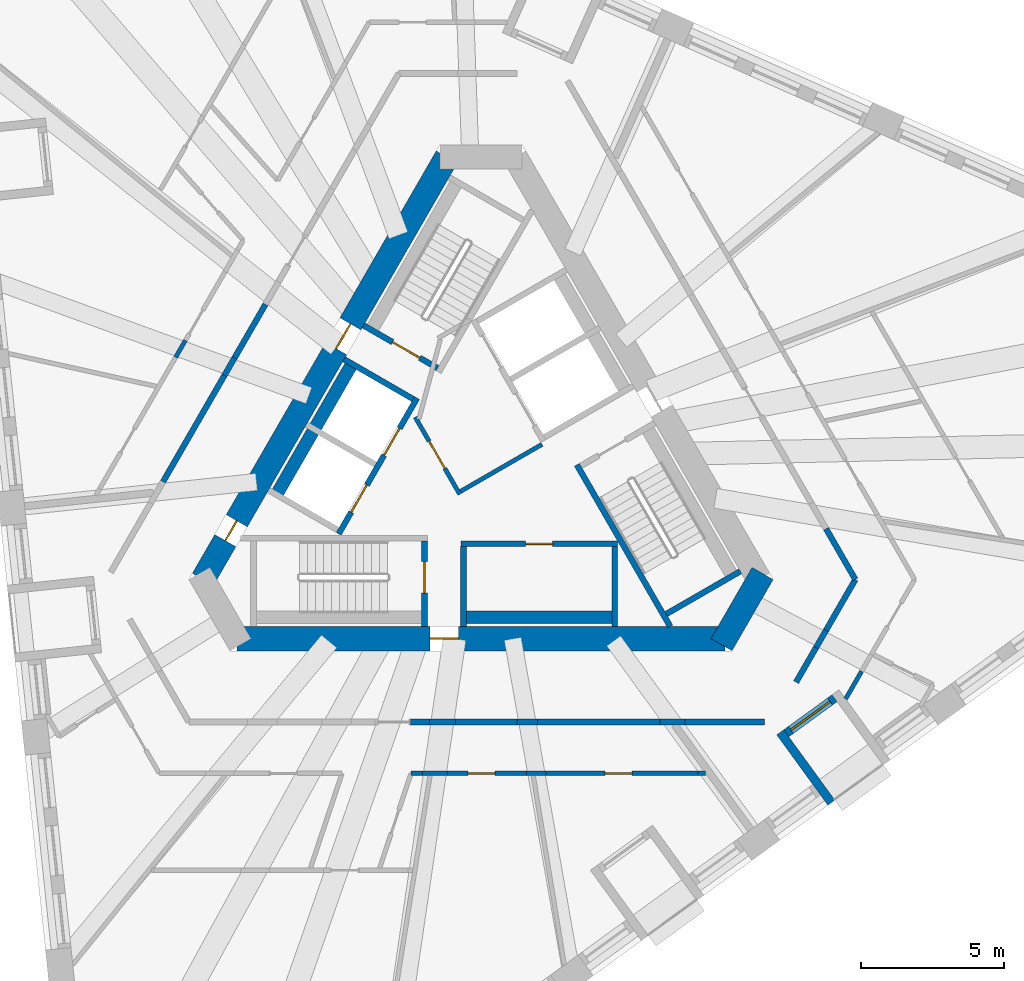
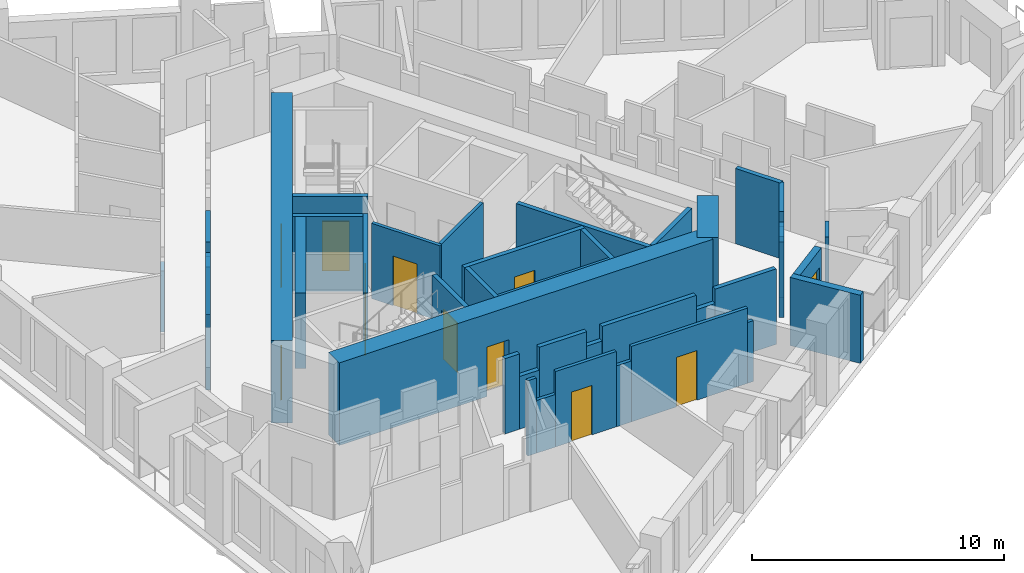
# One storey, part 4 of 14: 40 walls, 12 doors, 12 openings.
"""IFC4 building model written with IfcOpenShell, lengths in metres."""

from ifc_helpers import new_model, si_unit, direction, frame, frame_2d, origin, place, context, subcontext, project, spatial, rectangle, extrude, material, layer, layer_set, type_object, element, fill, save


model = new_model("IFC4")

# Units and contexts
model_context = context("Model", 3, precision=1e-05, world=origin(), true_north=direction((0.0, 1.0)))
body_context = subcontext(model_context, "Body", "Model", "MODEL_VIEW")
ifc_project = project(units=[si_unit("LENGTHUNIT", "METRE"), si_unit("AREAUNIT", "SQUARE_METRE"), si_unit("VOLUMEUNIT", "CUBIC_METRE"), si_unit("PLANEANGLEUNIT", "RADIAN"), si_unit("MASSUNIT", "GRAM", prefix="KILO")], contexts=[model_context])

# Site, building, storey
site_placement = place(None, origin())
site = spatial("IfcSite", under=ifc_project, at=site_placement, CompositionType="ELEMENT")
building_placement = place(site_placement, origin())
building = spatial("IfcBuilding", under=site, at=building_placement, Name="Tramontana Tower", CompositionType="ELEMENT")
storey_placement = place(building_placement, frame((0.0, 0.0, 170.800048828125)))
storey = spatial("IfcBuildingStorey", under=building, at=storey_placement, Name="L39", CompositionType="ELEMENT", Elevation=170.800048828125)

# Wall, openings, doors
ifc_material_1 = material(Name="Concrete 70 MPa", Category="concrete")
ifc_layer_1 = layer(ifc_material_1, 0.85009765625)
ifc_layer_set_1 = layer_set([ifc_layer_1], Name="Core wall 850 70 MPa")
wall_type_1 = type_object("IfcWallType", Name="Core wall 850 70 MPa", PredefinedType="SHEAR", material=ifc_layer_set_1)
wall_1_placement = place(storey_placement, frame((-1.197998046875, 10.574951171875, 0.0), z_axis=(0.0, 0.0, 1.0), x_axis=(-0.499995289315, -0.866028123483, 0.0)))
wall_1 = element("IfcWall", 1, at=wall_1_placement, inside=storey, type_object=wall_type_1, Name="Core wall C1 L39", PredefinedType="SHEAR", context=body_context, shape_type="SweptSolid", body=[
    extrude(rectangle(XDim=17.118408203125, YDim=0.85009765625, at=frame_2d((8.55908203125, 0.0))), origin(), (0.0, 0.0, 1.0), 4.0),
])
opening_1_placement = place(wall_1_placement, frame((6.76416015625, 0.0, 0.0)))
opening_1 = element("IfcOpeningElement", 2, at=opening_1_placement, cuts=wall_1, Name="Opening RG1", PredefinedType="OPENING", context=body_context, shape_type="SweptSolid", body=[
    extrude(rectangle(XDim=1.0, YDim=2.39990234375, at=frame_2d((0.5, 1.199951171875))), frame((0.0, 0.43505859375, 0.0), z_axis=(0.0, -1.0, 0.0), x_axis=(1.0, 0.0, 0.0)), (0.0, 0.0, 1.0), 0.8701171875),
])
opening_2_placement = place(wall_1_placement, frame((14.7421875, 0.0, 0.0)))
opening_2 = element("IfcOpeningElement", 3, at=opening_2_placement, cuts=wall_1, Name="Opening PD1", PredefinedType="OPENING", context=body_context, shape_type="SweptSolid", body=[
    extrude(rectangle(XDim=0.800048828125, YDim=2.10009765625, at=frame_2d((0.39990234375, 1.050048828125))), frame((0.0, 0.43505859375, 0.0), z_axis=(0.0, -1.0, 0.0), x_axis=(1.0, 0.0, 0.0)), (0.0, 0.0, 1.0), 0.8701171875),
])
ifc_material_2 = material(Name="Painted steel", Category="steel")
door_type_1 = type_object("IfcDoorType", Name="CUPBOARD DOOR 800", OperationType="SINGLE_SWING_LEFT", PredefinedType="DOOR", material=ifc_material_2)
door_1_placement = place(opening_2_placement, origin())
door_1 = element("IfcDoor", 4, at=door_1_placement, inside=storey, type_object=door_type_1, Name="Door PD1", OperationType="SINGLE_SWING_RIGHT", OverallHeight=2.10009765625, OverallWidth=0.800048828125, PredefinedType="DOOR", context=body_context, shape_type="SweptSolid", body=[
    extrude(rectangle(XDim=0.800048828125, YDim=2.10009765625, at=frame_2d((0.39990234375, 1.050048828125))), frame((0.0, 0.02490234375, 0.0), z_axis=(0.0, -1.0, 0.0), x_axis=(1.0, 0.0, 0.0)), (0.0, 0.0, 1.0), 0.050048828125),
])
fill(opening_2, door_1)
ifc_material_3 = material(Name="Painted steel", Category="steel")
door_type_2 = type_object("IfcDoorType", Name="RING DOOR 1000", OperationType="SINGLE_SWING_LEFT", PredefinedType="DOOR", material=ifc_material_3)
door_2_placement = place(opening_1_placement, origin())
door_2 = element("IfcDoor", 5, at=door_2_placement, inside=storey, type_object=door_type_2, Name="Door RG1", OperationType="SINGLE_SWING_LEFT", OverallHeight=2.39990234375, OverallWidth=1.0, PredefinedType="DOOR", context=body_context, shape_type="SweptSolid", body=[
    extrude(rectangle(XDim=1.0, YDim=2.39990234375, at=frame_2d((0.5, 1.199951171875))), frame((0.0, 0.02490234375, 0.0), z_axis=(0.0, -1.0, 0.0), x_axis=(1.0, 0.0, 0.0)), (0.0, 0.0, 1.0), 0.050048828125),
])
fill(opening_1, door_2)

# Wall, opening, door
wall_2_placement = place(storey_placement, frame((-8.55908203125, -6.324951171875, 0.0), z_axis=(0.0, 0.0, 1.0), x_axis=(1.0, 0.0, 0.0)))
wall_2 = element("IfcWall", 6, at=wall_2_placement, inside=storey, type_object=wall_type_1, Name="Core wall C3 L39", PredefinedType="SHEAR", context=body_context, shape_type="SweptSolid", body=[
    extrude(rectangle(XDim=17.1181640625, YDim=0.85009765625, at=frame_2d((8.55908203125, 0.0))), origin(), (0.0, 0.0, 1.0), 4.0),
])
opening_3_placement = place(wall_2_placement, frame((6.76416015625, 0.0, 0.0)))
opening_3 = element("IfcOpeningElement", 7, at=opening_3_placement, cuts=wall_2, Name="Opening RG2", PredefinedType="OPENING", context=body_context, shape_type="SweptSolid", body=[
    extrude(rectangle(XDim=1.0, YDim=2.39990234375, at=frame_2d((0.5, 1.199951171875))), frame((0.0, 0.43505859375, 0.0), z_axis=(0.0, -1.0, 0.0), x_axis=(1.0, 0.0, 0.0)), (0.0, 0.0, 1.0), 0.8701171875),
])
door_3_placement = place(opening_3_placement, origin())
door_3 = element("IfcDoor", 8, at=door_3_placement, inside=storey, type_object=door_type_2, Name="Door RG2", OperationType="SINGLE_SWING_RIGHT", OverallHeight=2.39990234375, OverallWidth=1.0, PredefinedType="DOOR", context=body_context, shape_type="SweptSolid", body=[
    extrude(rectangle(XDim=1.0, YDim=2.39990234375, at=frame_2d((0.5, 1.199951171875))), frame((0.0, 0.02490234375, 0.0), z_axis=(0.0, -1.0, 0.0), x_axis=(1.0, 0.0, 0.0)), (0.0, 0.0, 1.0), 0.050048828125),
])
fill(opening_3, door_3)

# Walls
wall_3_placement = place(storey_placement, frame((8.4365234375, -6.53759765625, 0.0), z_axis=(0.0, 0.0, 1.0), x_axis=(0.499995765644, 0.866027848477, 0.0)))
element("IfcWall", 9, at=wall_3_placement, inside=storey, type_object=wall_type_1, Name="Core wall C4 L39", PredefinedType="SHEAR", context=body_context, shape_type="SweptSolid", body=[
    extrude(rectangle(XDim=2.88671875, YDim=0.85009765625, at=frame_2d((1.443359375, 0.0))), origin(), (0.0, 0.0, 1.0), 4.0),
])
ifc_material_4 = material(Name="Blockwork", Category="masonry")
ifc_layer_2 = layer(ifc_material_4, 0.199951171875)
ifc_layer_set_2 = layer_set([ifc_layer_2], Name="ENTRY WALL 200")
wall_type_2 = type_object("IfcWallType", Name="ENTRY WALL 200", PredefinedType="SOLIDWALL", material=ifc_layer_set_2)
wall_4_placement = place(storey_placement, frame((12.106689453125, -2.46923828125, 0.0), z_axis=(0.0, 0.0, 1.0), x_axis=(0.499982825521, -0.866035319247, 0.0)))
element("IfcWall", 10, at=wall_4_placement, inside=storey, type_object=wall_type_2, Name="Wall v40-ew0-12", PredefinedType="SOLIDWALL", context=body_context, shape_type="SweptSolid", body=[
    extrude(rectangle(XDim=2.05615234375, YDim=0.199951171875, at=frame_2d((1.028076171875, 0.0))), origin(), (0.0, 0.0, 1.0), 3.64990234375),
])
wall_5_placement = place(storey_placement, frame((13.134765625, -4.25, 0.0), z_axis=(0.0, 0.0, 1.0), x_axis=(-0.500030520673, -0.866007781949, 0.0)))
element("IfcWall", 11, at=wall_5_placement, inside=storey, type_object=wall_type_2, Name="Wall v40-ew1-0", PredefinedType="SOLIDWALL", context=body_context, shape_type="SweptSolid", body=[
    extrude(rectangle(XDim=2.057861328125, YDim=0.199951171875, at=frame_2d((1.02880859375, 0.0))), origin(), (0.0, 0.0, 1.0), 3.64990234375),
])
wall_6_placement = place(storey_placement, frame((12.105712890625, -6.0322265625, 0.0), z_axis=(0.0, 0.0, 1.0), x_axis=(-0.49996389635, -0.866046247233, 0.0)))
element("IfcWall", 12, at=wall_6_placement, inside=storey, type_object=wall_type_2, Name="Wall v40-ew1-1", PredefinedType="SOLIDWALL", context=body_context, shape_type="SweptSolid", body=[
    extrude(rectangle(XDim=0.7001953125, YDim=0.199951171875, at=frame_2d((0.35009765625, 0.0))), origin(), (0.0, 0.0, 1.0), 2.949951171875),
])
wall_7_placement = place(storey_placement, frame((11.755615234375, -6.638671875, 0.0), z_axis=(0.0, 0.0, 1.0), x_axis=(-0.49998411664, -0.866034573852, 0.0)))
element("IfcWall", 13, at=wall_7_placement, inside=storey, type_object=wall_type_2, Name="Wall v40-ew1-2", PredefinedType="SOLIDWALL", context=body_context, shape_type="SweptSolid", body=[
    extrude(rectangle(XDim=1.39990234375, YDim=0.199951171875, at=frame_2d((0.699951171875, 0.0))), origin(), (0.0, 0.0, 1.0), 3.64990234375),
])
wall_8_placement = place(storey_placement, frame((9.95166015625, -9.25, 0.0), z_axis=(0.0, 0.0, 1.0), x_axis=(-1.0, 0.0, 0.0)))
element("IfcWall", 14, at=wall_8_placement, inside=storey, type_object=wall_type_2, Name="Wall v40-ew2-0", PredefinedType="SOLIDWALL", context=body_context, shape_type="SweptSolid", body=[
    extrude(rectangle(XDim=2.798583984375, YDim=0.199951171875, at=frame_2d((1.3994140625, 0.0))), origin(), (0.0, 0.0, 1.0), 3.64990234375),
])
wall_9_placement = place(storey_placement, frame((7.153076171875, -9.25, 0.0), z_axis=(0.0, 0.0, 1.0), x_axis=(-1.0, 0.0, 0.0)))
element("IfcWall", 15, at=wall_9_placement, inside=storey, type_object=wall_type_2, Name="Wall v40-ew2-1", PredefinedType="SOLIDWALL", context=body_context, shape_type="SweptSolid", body=[
    extrude(rectangle(XDim=0.865234375, YDim=0.199951171875, at=frame_2d((0.4326171875, 0.0))), origin(), (0.0, 0.0, 1.0), 2.949951171875),
])
wall_10_placement = place(storey_placement, frame((6.287841796875, -9.25, 0.0), z_axis=(0.0, 0.0, 1.0), x_axis=(-1.0, 0.0, 0.0)))
element("IfcWall", 16, at=wall_10_placement, inside=storey, type_object=wall_type_2, Name="Wall v40-ew2-2", PredefinedType="SOLIDWALL", context=body_context, shape_type="SweptSolid", body=[
    extrude(rectangle(XDim=4.306640625, YDim=0.199951171875, at=frame_2d((2.1533203125, 0.0))), origin(), (0.0, 0.0, 1.0), 3.64990234375),
])
wall_11_placement = place(storey_placement, frame((1.981201171875, -9.25, 0.0), z_axis=(0.0, 0.0, 1.0), x_axis=(-1.0, 0.0, 0.0)))
element("IfcWall", 17, at=wall_11_placement, inside=storey, type_object=wall_type_2, Name="Wall v40-ew2-3", PredefinedType="SOLIDWALL", context=body_context, shape_type="SweptSolid", body=[
    extrude(rectangle(XDim=0.710693359375, YDim=0.199951171875, at=frame_2d((0.35546875, 0.0))), origin(), (0.0, 0.0, 1.0), 2.949951171875),
])
wall_12_placement = place(storey_placement, frame((1.2705078125, -9.25, 0.0), z_axis=(0.0, 0.0, 1.0), x_axis=(-1.0, 0.0, 0.0)))
element("IfcWall", 18, at=wall_12_placement, inside=storey, type_object=wall_type_2, Name="Wall v40-ew2-4", PredefinedType="SOLIDWALL", context=body_context, shape_type="SweptSolid", body=[
    extrude(rectangle(XDim=2.169677734375, YDim=0.199951171875, at=frame_2d((1.0849609375, 0.0))), origin(), (0.0, 0.0, 1.0), 3.64990234375),
])
wall_13_placement = place(storey_placement, frame((-0.899169921875, -9.25, 0.0), z_axis=(0.0, 0.0, 1.0), x_axis=(-1.0, 0.0, 0.0)))
element("IfcWall", 19, at=wall_13_placement, inside=storey, type_object=wall_type_2, Name="Wall v40-ew2-5", PredefinedType="SOLIDWALL", context=body_context, shape_type="SweptSolid", body=[
    extrude(rectangle(XDim=0.909423828125, YDim=0.199951171875, at=frame_2d((0.45458984375, 0.0))), origin(), (0.0, 0.0, 1.0), 2.550048828125),
])
wall_14_placement = place(storey_placement, frame((-1.80859375, -9.25, 0.0), z_axis=(0.0, 0.0, 1.0), x_axis=(-1.0, 0.0, 0.0)))
element("IfcWall", 20, at=wall_14_placement, inside=storey, type_object=wall_type_2, Name="Wall v40-ew2-6", PredefinedType="SOLIDWALL", context=body_context, shape_type="SweptSolid", body=[
    extrude(rectangle(XDim=0.659423828125, YDim=0.199951171875, at=frame_2d((0.32958984375, 0.0))), origin(), (0.0, 0.0, 1.0), 3.64990234375),
])
wall_15_placement = place(storey_placement, frame((-11.15478515625, -0.820556640625, 0.0), z_axis=(0.0, 0.0, 1.0), x_axis=(0.499992344383, 0.866029823712, 0.0)))
element("IfcWall", 21, at=wall_15_placement, inside=storey, type_object=wall_type_2, Name="Wall v40-ew4-2", PredefinedType="SOLIDWALL", context=body_context, shape_type="SweptSolid", body=[
    extrude(rectangle(XDim=4.306640625, YDim=0.199951171875, at=frame_2d((2.1533203125, 0.0))), origin(), (0.0, 0.0, 1.0), 3.64990234375),
])
wall_16_placement = place(storey_placement, frame((-9.00146484375, 2.9091796875, 0.0), z_axis=(0.0, 0.0, 1.0), x_axis=(0.50012879774, 0.865951029603, 0.0)))
element("IfcWall", 22, at=wall_16_placement, inside=storey, type_object=wall_type_2, Name="Wall v40-ew4-3", PredefinedType="SOLIDWALL", context=body_context, shape_type="SweptSolid", body=[
    extrude(rectangle(XDim=0.710693359375, YDim=0.199951171875, at=frame_2d((0.35546875, 0.0))), origin(), (0.0, 0.0, 1.0), 2.949951171875),
])
wall_17_placement = place(storey_placement, frame((-8.64599609375, 3.524658203125, 0.0), z_axis=(0.0, 0.0, 1.0), x_axis=(0.499975720793, 0.866039420937, 0.0)))
element("IfcWall", 23, at=wall_17_placement, inside=storey, type_object=wall_type_2, Name="Wall v40-ew4-4", PredefinedType="SOLIDWALL", context=body_context, shape_type="SweptSolid", body=[
    extrude(rectangle(XDim=2.16943359375, YDim=0.199951171875, at=frame_2d((1.084716796875, 0.0))), origin(), (0.0, 0.0, 1.0), 3.64990234375),
])

# Wall, opening, door
ifc_material_5 = material(Name="Precast concrete 60 MPa", Category="concrete")
ifc_layer_3 = layer(ifc_material_5, 0.300048828125)
ifc_layer_set_3 = layer_set([ifc_layer_3], Name="LW1 Stone-faced loggia wall 300")
wall_type_3 = type_object("IfcWallType", Name="LW1 Stone-faced loggia wall 300", PredefinedType="SOLIDWALL", material=ifc_layer_set_3)
wall_18_placement = place(storey_placement, frame((10.710205078125, -9.647216796875, 0.0), z_axis=(0.0, 0.0, 1.0), x_axis=(0.808972932648, 0.587845893277, 0.0)))
wall_18 = element("IfcWall", 24, at=wall_18_placement, inside=storey, type_object=wall_type_3, Name="Loggia wall L39 G4S1.10", PredefinedType="SOLIDWALL", context=body_context, shape_type="SweptSolid", body=[
    extrude(rectangle(XDim=2.094482421875, YDim=0.300048828125, at=frame_2d((1.04736328125, 0.0))), origin(), (0.0, 0.0, 1.0), 3.300048828125),
])
opening_4_placement = place(wall_18_placement, frame((0.197265625, 0.0, 0.0)))
opening_4 = element("IfcOpeningElement", 25, at=opening_4_placement, cuts=wall_18, Name="Opening BD-4S1-10", PredefinedType="OPENING", context=body_context, shape_type="SweptSolid", body=[
    extrude(rectangle(XDim=1.699951171875, YDim=2.449951171875, at=frame_2d((0.85009765625, 1.22509765625))), frame((0.0, 0.159912109375, 0.0), z_axis=(0.0, -1.0, 0.0), x_axis=(1.0, 0.0, 0.0)), (0.0, 0.0, 1.0), 0.320068359375),
])
ifc_material_6 = material(Name="Aluminum frame, double glazing unit", Category="aluminium")
door_type_3 = type_object("IfcDoorType", Name="BD2 Sliding door 1.7 x 2.45", OperationType="SLIDING_TO_LEFT", PredefinedType="DOOR", material=ifc_material_6)
door_4_placement = place(opening_4_placement, origin())
door_4 = element("IfcDoor", 26, at=door_4_placement, inside=storey, type_object=door_type_3, Name="Loggia door L39 G4S1.10", OperationType="SLIDING_TO_LEFT", OverallHeight=2.449951171875, OverallWidth=1.699951171875, PredefinedType="DOOR", context=body_context, shape_type="SweptSolid", body=[
    extrude(rectangle(XDim=1.699951171875, YDim=2.449951171875, at=frame_2d((0.85009765625, 1.22509765625))), frame((0.0, 0.02490234375, 0.0), z_axis=(0.0, -1.0, 0.0), x_axis=(1.0, 0.0, 0.0)), (0.0, 0.0, 1.0), 0.050048828125),
])
fill(opening_4, door_4)

# Wall
wall_19_placement = place(storey_placement, frame((12.29345703125, -12.08154296875, 0.0), z_axis=(0.0, 0.0, 1.0), x_axis=(-0.587776590479, 0.80902328748, 0.0)))
element("IfcWall", 27, at=wall_19_placement, inside=storey, type_object=wall_type_3, Name="Loggia return L39 G4S1.10a", PredefinedType="SOLIDWALL", context=body_context, shape_type="SweptSolid", body=[
    extrude(rectangle(XDim=3.050048828125, YDim=0.300048828125, at=frame_2d((1.52490234375, 0.0))), origin(), (0.0, 0.0, 1.0), 3.300048828125),
])

# Wall, opening, door
ifc_material_7 = material(Name="Gypsum board partition")
ifc_layer_4 = layer(ifc_material_7, 0.14990234375)
ifc_layer_set_4 = layer_set([ifc_layer_4], Name="PARTITION 150")
wall_type_4 = type_object("IfcWallType", Name="PARTITION 150", PredefinedType="PARTITIONING", material=ifc_layer_set_4)
wall_20_placement = place(storey_placement, frame((-0.744140625, -1.260986328125, 0.0), z_axis=(0.0, 0.0, 1.0), x_axis=(-0.500004234368, 0.866022959057, 0.0)))
wall_20 = element("IfcWall", 28, at=wall_20_placement, inside=storey, type_object=wall_type_4, Name="Wall ff-front", PredefinedType="PARTITIONING", context=body_context, shape_type="SweptSolid", body=[
    extrude(rectangle(XDim=3.125, YDim=0.14990234375, at=frame_2d((1.5625, 0.0))), origin(), (0.0, 0.0, 1.0), 3.64990234375),
])
opening_5_placement = place(wall_20_placement, frame((1.050048828125, 0.0, 0.0)))
opening_5 = element("IfcOpeningElement", 29, at=opening_5_placement, cuts=wall_20, Name="Opening FD1", PredefinedType="OPENING", context=body_context, shape_type="SweptSolid", body=[
    extrude(rectangle(XDim=1.10009765625, YDim=2.39990234375, at=frame_2d((0.550048828125, 1.199951171875))), frame((0.0, 0.0849609375, 0.0), z_axis=(0.0, -1.0, 0.0), x_axis=(1.0, 0.0, 0.0)), (0.0, 0.0, 1.0), 0.169921875),
])
ifc_material_8 = material(Name="Painted timber", Category="wood")
door_type_4 = type_object("IfcDoorType", Name="DOOR ENTRY 1100", OperationType="SINGLE_SWING_LEFT", PredefinedType="DOOR", material=ifc_material_8)
door_5_placement = place(opening_5_placement, origin())
door_5 = element("IfcDoor", 30, at=door_5_placement, inside=storey, type_object=door_type_4, Name="Door FD1", OperationType="SINGLE_SWING_RIGHT", OverallHeight=2.39990234375, OverallWidth=1.10009765625, PredefinedType="DOOR", context=body_context, shape_type="SweptSolid", body=[
    extrude(rectangle(XDim=1.10009765625, YDim=2.39990234375, at=frame_2d((0.550048828125, 1.199951171875))), frame((0.0, 0.02490234375, 0.0), z_axis=(0.0, -1.0, 0.0), x_axis=(1.0, 0.0, 0.0)), (0.0, 0.0, 1.0), 0.050048828125),
])
fill(opening_5, door_5)

# Walls
wall_21_placement = place(storey_placement, frame((-0.716796875, -1.15869140625, 0.0), z_axis=(0.0, 0.0, 1.0), x_axis=(0.866008176907, 0.50002983664, 0.0)))
element("IfcWall", 31, at=wall_21_placement, inside=storey, type_object=wall_type_4, Name="Wall ff-end0", PredefinedType="PARTITIONING", context=body_context, shape_type="SweptSolid", body=[
    extrude(rectangle(XDim=3.300048828125, YDim=0.14990234375, at=frame_2d((1.64990234375, 0.0))), origin(), (0.0, 0.0, 1.0), 3.64990234375),
])
wall_22_placement = place(storey_placement, frame((-10.712158203125, 3.546142578125, 0.0), z_axis=(0.0, 0.0, 1.0), x_axis=(0.50012328804, 0.865954211699, 0.0)))
element("IfcWall", 32, at=wall_22_placement, inside=storey, type_object=wall_type_4, Name="Wall v40-pw03-2", PredefinedType="PARTITIONING", context=body_context, shape_type="SweptSolid", body=[
    extrude(rectangle(XDim=0.685302734375, YDim=0.14990234375, at=frame_2d((0.3427734375, 0.0))), origin(), (0.0, 0.0, 1.0), 2.949951171875),
])
wall_23_placement = place(storey_placement, frame((7.873779296875, -11.050048828125, 0.0), z_axis=(0.0, 0.0, 1.0), x_axis=(-1.0, 0.0, 0.0)))
element("IfcWall", 33, at=wall_23_placement, inside=storey, type_object=wall_type_4, Name="Wall v40-pw27-0", PredefinedType="PARTITIONING", context=body_context, shape_type="SweptSolid", body=[
    extrude(rectangle(XDim=0.2626953125, YDim=0.14990234375, at=frame_2d((0.13134765625, 0.0))), origin(), (0.0, 0.0, 1.0), 2.949951171875),
])

# Wall, opening, door
wall_24_placement = place(storey_placement, frame((7.611083984375, -11.050048828125, 0.0), z_axis=(0.0, 0.0, 1.0), x_axis=(-1.0, 0.0, 0.0)))
wall_24 = element("IfcWall", 34, at=wall_24_placement, inside=storey, type_object=wall_type_4, Name="Wall v40-pw27-1", PredefinedType="PARTITIONING", context=body_context, shape_type="SweptSolid", body=[
    extrude(rectangle(XDim=5.326171875, YDim=0.14990234375, at=frame_2d((2.6630859375, 0.0))), origin(), (0.0, 0.0, 1.0), 3.64990234375),
])
opening_6_placement = place(wall_24_placement, frame((2.31201171875, 0.0, 0.0)))
opening_6 = element("IfcOpeningElement", 35, at=opening_6_placement, cuts=wall_24, Name="Opening B4A-13", PredefinedType="OPENING", context=body_context, shape_type="SweptSolid", body=[
    extrude(rectangle(XDim=0.949951171875, YDim=2.39990234375, at=frame_2d((0.47509765625, 1.199951171875))), frame((0.0, 0.0849609375, 0.0), z_axis=(0.0, -1.0, 0.0), x_axis=(1.0, 0.0, 0.0)), (0.0, 0.0, 1.0), 0.169921875),
])
ifc_material_9 = material(Name="Painted timber", Category="wood")
door_type_5 = type_object("IfcDoorType", Name="DOOR ROOM 950", OperationType="SINGLE_SWING_LEFT", PredefinedType="DOOR", material=ifc_material_9)
door_6_placement = place(opening_6_placement, origin())
door_6 = element("IfcDoor", 36, at=door_6_placement, inside=storey, type_object=door_type_5, Name="Door B4A-13", OperationType="SINGLE_SWING_LEFT", OverallHeight=2.39990234375, OverallWidth=0.949951171875, PredefinedType="DOOR", context=body_context, shape_type="SweptSolid", body=[
    extrude(rectangle(XDim=0.949951171875, YDim=2.39990234375, at=frame_2d((0.47509765625, 1.199951171875))), frame((0.0, 0.02490234375, 0.0), z_axis=(0.0, -1.0, 0.0), x_axis=(1.0, 0.0, 0.0)), (0.0, 0.0, 1.0), 0.050048828125),
])
fill(opening_6, door_6)

# Wall
wall_25_placement = place(storey_placement, frame((2.284912109375, -11.050048828125, 0.0), z_axis=(0.0, 0.0, 1.0), x_axis=(-1.0, 0.0, 0.0)))
element("IfcWall", 37, at=wall_25_placement, inside=storey, type_object=wall_type_4, Name="Wall v40-pw27-2", PredefinedType="PARTITIONING", context=body_context, shape_type="SweptSolid", body=[
    extrude(rectangle(XDim=0.685302734375, YDim=0.14990234375, at=frame_2d((0.3427734375, 0.0))), origin(), (0.0, 0.0, 1.0), 2.949951171875),
])

# Wall, opening, door
wall_26_placement = place(storey_placement, frame((1.599609375, -11.050048828125, 0.0), z_axis=(0.0, 0.0, 1.0), x_axis=(-1.0, 0.0, 0.0)))
wall_26 = element("IfcWall", 38, at=wall_26_placement, inside=storey, type_object=wall_type_4, Name="Wall v40-pw27-3", PredefinedType="PARTITIONING", context=body_context, shape_type="SweptSolid", body=[
    extrude(rectangle(XDim=2.77490234375, YDim=0.14990234375, at=frame_2d((1.387451171875, 0.0))), origin(), (0.0, 0.0, 1.0), 3.64990234375),
])
opening_7_placement = place(wall_26_placement, frame((1.1025390625, 0.0, 0.0)))
opening_7 = element("IfcOpeningElement", 39, at=opening_7_placement, cuts=wall_26, Name="Opening B4A-12", PredefinedType="OPENING", context=body_context, shape_type="SweptSolid", body=[
    extrude(rectangle(XDim=0.949951171875, YDim=2.39990234375, at=frame_2d((0.47509765625, 1.199951171875))), frame((0.0, 0.0849609375, 0.0), z_axis=(0.0, -1.0, 0.0), x_axis=(1.0, 0.0, 0.0)), (0.0, 0.0, 1.0), 0.169921875),
])
door_7_placement = place(opening_7_placement, origin())
door_7 = element("IfcDoor", 40, at=door_7_placement, inside=storey, type_object=door_type_5, Name="Door B4A-12", OperationType="SINGLE_SWING_RIGHT", OverallHeight=2.39990234375, OverallWidth=0.949951171875, PredefinedType="DOOR", context=body_context, shape_type="SweptSolid", body=[
    extrude(rectangle(XDim=0.949951171875, YDim=2.39990234375, at=frame_2d((0.47509765625, 1.199951171875))), frame((0.0, 0.02490234375, 0.0), z_axis=(0.0, -1.0, 0.0), x_axis=(1.0, 0.0, 0.0)), (0.0, 0.0, 1.0), 0.050048828125),
])
fill(opening_7, door_7)

# Walls
wall_27_placement = place(storey_placement, frame((-1.17529296875, -11.050048828125, 0.0), z_axis=(0.0, 0.0, 1.0), x_axis=(-1.0, 0.0, 0.0)))
element("IfcWall", 41, at=wall_27_placement, inside=storey, type_object=wall_type_4, Name="Wall v40-pw27-4", PredefinedType="PARTITIONING", context=body_context, shape_type="SweptSolid", body=[
    extrude(rectangle(XDim=0.88427734375, YDim=0.14990234375, at=frame_2d((0.442138671875, 0.0))), origin(), (0.0, 0.0, 1.0), 2.550048828125),
])
wall_28_placement = place(storey_placement, frame((-2.0595703125, -11.050048828125, 0.0), z_axis=(0.0, 0.0, 1.0), x_axis=(-1.0, 0.0, 0.0)))
element("IfcWall", 42, at=wall_28_placement, inside=storey, type_object=wall_type_4, Name="Wall v40-pw27-5", PredefinedType="PARTITIONING", context=body_context, shape_type="SweptSolid", body=[
    extrude(rectangle(XDim=0.3916015625, YDim=0.14990234375, at=frame_2d((0.19580078125, 0.0))), origin(), (0.0, 0.0, 1.0), 3.64990234375),
])
wall_29_placement = place(storey_placement, frame((13.3525390625, -7.47265625, 0.0), z_axis=(0.0, 0.0, 1.0), x_axis=(-0.500037474894, -0.866003766563, 0.0)))
element("IfcWall", 43, at=wall_29_placement, inside=storey, type_object=wall_type_4, Name="Wall v40-pw33-2", PredefinedType="PARTITIONING", context=body_context, shape_type="SweptSolid", body=[
    extrude(rectangle(XDim=1.1181640625, YDim=0.14990234375, at=frame_2d((0.55908203125, 0.0))), origin(), (0.0, 0.0, 1.0), 3.64990234375),
])
ifc_material_10 = material(Name="Concrete 70 MPa", Category="concrete")
ifc_layer_5 = layer(ifc_material_10, 0.449951171875)
ifc_layer_set_5 = layer_set([ifc_layer_5], Name="Concrete 70 MPa, 450 mm")
wall_type_5 = type_object("IfcWallType", Name="RC SHAFT BACK WALL 450", PredefinedType="SOLIDWALL", material=ifc_layer_set_5)
for number, where, z_axis, x_axis, name in (
    (44, (-4.47314453125, 3.40234375, 0.0), (0.0, 0.0, 1.0), (-0.499996545922, -0.866027397988, 0.0), "Wall row0-back"),
    (45, (-0.7099609375, -5.574951171875, 0.0), (0.0, 0.0, 1.0), (1.0, 0.0, 0.0), "Wall row1-back"),
):
    element("IfcWall", number, at=place(storey_placement, frame(where, z_axis=z_axis, x_axis=x_axis)), inside=storey, type_object=wall_type_5, Name=name, PredefinedType="SOLIDWALL", context=body_context, shape_type="SweptSolid", body=[
        extrude(rectangle(XDim=5.5, YDim=0.449951171875, at=frame_2d((2.75, 0.0))), origin(), (0.0, 0.0, 1.0), 3.64990234375),
    ])

# Wall, opening, door
ifc_material_11 = material(Name="Concrete 70 MPa", Category="concrete")
ifc_layer_6 = layer(ifc_material_11, 0.199951171875)
ifc_layer_set_6 = layer_set([ifc_layer_6], Name="Concrete 70 MPa, 200 mm")
wall_type_6 = type_object("IfcWallType", Name="RC STAIR AND SHAFT WALL 200", PredefinedType="SOLIDWALL", material=ifc_layer_set_6)
wall_30_placement = place(storey_placement, frame((-1.521484375, 3.164794921875, 0.0), z_axis=(0.0, 0.0, 1.0), x_axis=(-0.866031096941, 0.499990139034, 0.0)))
wall_30 = element("IfcWall", 46, at=wall_30_placement, inside=storey, type_object=wall_type_6, Name="Wall st1-near", PredefinedType="SOLIDWALL", context=body_context, shape_type="SweptSolid", body=[
    extrude(rectangle(XDim=3.0, YDim=0.199951171875, at=frame_2d((1.5, 0.0))), origin(), (0.0, 0.0, 1.0), 3.64990234375),
])
opening_8_placement = place(wall_30_placement, frame((0.72509765625, 0.0, 0.0)))
opening_8 = element("IfcOpeningElement", 47, at=opening_8_placement, cuts=wall_30, Name="Opening SD1", PredefinedType="OPENING", context=body_context, shape_type="SweptSolid", body=[
    extrude(rectangle(XDim=1.10009765625, YDim=2.39990234375, at=frame_2d((0.550048828125, 1.199951171875))), frame((0.0, 0.10986328125, 0.0), z_axis=(0.0, -1.0, 0.0), x_axis=(1.0, 0.0, 0.0)), (0.0, 0.0, 1.0), 0.219970703125),
])
ifc_material_12 = material(Name="Painted steel", Category="steel")
door_type_6 = type_object("IfcDoorType", Name="STAIR DOOR 1100", OperationType="SINGLE_SWING_LEFT", PredefinedType="DOOR", material=ifc_material_12)
door_8_placement = place(opening_8_placement, origin())
door_8 = element("IfcDoor", 48, at=door_8_placement, inside=storey, type_object=door_type_6, Name="Door SD1", OperationType="SINGLE_SWING_RIGHT", OverallHeight=2.39990234375, OverallWidth=1.10009765625, PredefinedType="DOOR", context=body_context, shape_type="SweptSolid", body=[
    extrude(rectangle(XDim=1.10009765625, YDim=2.39990234375, at=frame_2d((0.550048828125, 1.199951171875))), frame((0.0, 0.02490234375, 0.0), z_axis=(0.0, -1.0, 0.0), x_axis=(1.0, 0.0, 0.0)), (0.0, 0.0, 1.0), 0.050048828125),
])
fill(opening_8, door_8)

wall_31_placement = place(storey_placement, frame((-1.97998046875, -2.89990234375, 0.0), z_axis=(0.0, 0.0, 1.0), x_axis=(0.0, -1.0, 0.0)))
wall_31 = element("IfcWall", 49, at=wall_31_placement, inside=storey, type_object=wall_type_6, Name="Wall st2-near", PredefinedType="SOLIDWALL", context=body_context, shape_type="SweptSolid", body=[
    extrude(rectangle(XDim=3.0, YDim=0.199951171875, at=frame_2d((1.5, 0.0))), origin(), (0.0, 0.0, 1.0), 3.64990234375),
])
opening_9_placement = place(wall_31_placement, frame((0.72509765625, 0.0, 0.0)))
opening_9 = element("IfcOpeningElement", 50, at=opening_9_placement, cuts=wall_31, Name="Opening SD2", PredefinedType="OPENING", context=body_context, shape_type="SweptSolid", body=[
    extrude(rectangle(XDim=1.10009765625, YDim=2.39990234375, at=frame_2d((0.550048828125, 1.199951171875))), frame((0.0, 0.10986328125, 0.0), z_axis=(0.0, -1.0, 0.0), x_axis=(1.0, 0.0, 0.0)), (0.0, 0.0, 1.0), 0.219970703125),
])
door_9_placement = place(opening_9_placement, origin())
door_9 = element("IfcDoor", 51, at=door_9_placement, inside=storey, type_object=door_type_6, Name="Door SD2", OperationType="SINGLE_SWING_LEFT", OverallHeight=2.39990234375, OverallWidth=1.10009765625, PredefinedType="DOOR", context=body_context, shape_type="SweptSolid", body=[
    extrude(rectangle(XDim=1.10009765625, YDim=2.39990234375, at=frame_2d((0.550048828125, 1.199951171875))), frame((0.0, 0.02490234375, 0.0), z_axis=(0.0, -1.0, 0.0), x_axis=(1.0, 0.0, 0.0)), (0.0, 0.0, 1.0), 0.050048828125),
])
fill(opening_9, door_9)

# Walls
wall_32_placement = place(storey_placement, frame((6.6396484375, -5.89990234375, 0.0), z_axis=(0.0, 0.0, 1.0), x_axis=(-0.499999959354, 0.866025427251, 0.0)))
element("IfcWall", 52, at=wall_32_placement, inside=storey, type_object=wall_type_6, Name="Wall st3-front", PredefinedType="SOLIDWALL", context=body_context, shape_type="SweptSolid", body=[
    extrude(rectangle(XDim=6.54931640625, YDim=0.199951171875, at=frame_2d((3.274658203125, 0.0))), origin(), (0.0, 0.0, 1.0), 3.64990234375),
])
wall_33_placement = place(storey_placement, frame((6.50146484375, -5.4609375, 0.0), z_axis=(0.0, 0.0, 1.0), x_axis=(0.866031096941, 0.499990139034, 0.0)))
element("IfcWall", 53, at=wall_33_placement, inside=storey, type_object=wall_type_6, Name="Wall st3-far", PredefinedType="SOLIDWALL", context=body_context, shape_type="SweptSolid", body=[
    extrude(rectangle(XDim=3.0, YDim=0.199951171875, at=frame_2d((1.5, 0.0))), origin(), (0.0, 0.0, 1.0), 3.64990234375),
])

# Wall, openings, doors
wall_34_placement = place(storey_placement, frame((-2.2431640625, 2.114990234375, 0.0), z_axis=(0.0, 0.0, 1.0), x_axis=(-0.499996545922, -0.866027397988, 0.0)))
wall_34 = element("IfcWall", 54, at=wall_34_placement, inside=storey, type_object=wall_type_6, Name="Wall row0-front", PredefinedType="SOLIDWALL", context=body_context, shape_type="SweptSolid", body=[
    extrude(rectangle(XDim=5.5, YDim=0.199951171875, at=frame_2d((2.75, 0.0))), origin(), (0.0, 0.0, 1.0), 3.64990234375),
])
opening_10_placement = place(wall_34_placement, frame((1.219970703125, 0.0, 0.0)))
opening_10 = element("IfcOpeningElement", 55, at=opening_10_placement, cuts=wall_34, Name="Opening LD-P1", PredefinedType="OPENING", context=body_context, shape_type="SweptSolid", body=[
    extrude(rectangle(XDim=1.10009765625, YDim=2.10009765625, at=frame_2d((0.550048828125, 1.050048828125))), frame((0.0, 0.10986328125, 0.0), z_axis=(0.0, -1.0, 0.0), x_axis=(1.0, 0.0, 0.0)), (0.0, 0.0, 1.0), 0.219970703125),
])
opening_11_placement = place(wall_34_placement, frame((3.52490234375, 0.0, 0.0)))
opening_11 = element("IfcOpeningElement", 56, at=opening_11_placement, cuts=wall_34, Name="Opening LD-P2", PredefinedType="OPENING", context=body_context, shape_type="SweptSolid", body=[
    extrude(rectangle(XDim=1.10009765625, YDim=2.10009765625, at=frame_2d((0.550048828125, 1.050048828125))), frame((0.0, 0.10986328125, 0.0), z_axis=(0.0, -1.0, 0.0), x_axis=(1.0, 0.0, 0.0)), (0.0, 0.0, 1.0), 0.219970703125),
])
ifc_material_13 = material(Name="Brushed steel", Category="steel")
door_type_7 = type_object("IfcDoorType", Name="LANDING DOOR 1100", OperationType="SINGLE_SWING_LEFT", PredefinedType="DOOR", material=ifc_material_13)
door_10_placement = place(opening_10_placement, origin())
door_10 = element("IfcDoor", 57, at=door_10_placement, inside=storey, type_object=door_type_7, Name="Door LD-P1", OperationType="SLIDING_TO_LEFT", OverallHeight=2.10009765625, OverallWidth=1.10009765625, PredefinedType="DOOR", context=body_context, shape_type="SweptSolid", body=[
    extrude(rectangle(XDim=1.10009765625, YDim=2.10009765625, at=frame_2d((0.550048828125, 1.050048828125))), frame((0.0, 0.02490234375, 0.0), z_axis=(0.0, -1.0, 0.0), x_axis=(1.0, 0.0, 0.0)), (0.0, 0.0, 1.0), 0.050048828125),
])
fill(opening_10, door_10)
door_11_placement = place(opening_11_placement, origin())
door_11 = element("IfcDoor", 58, at=door_11_placement, inside=storey, type_object=door_type_7, Name="Door LD-P2", OperationType="SLIDING_TO_RIGHT", OverallHeight=2.10009765625, OverallWidth=1.10009765625, PredefinedType="DOOR", context=body_context, shape_type="SweptSolid", body=[
    extrude(rectangle(XDim=1.10009765625, YDim=2.10009765625, at=frame_2d((0.550048828125, 1.050048828125))), frame((0.0, 0.02490234375, 0.0), z_axis=(0.0, -1.0, 0.0), x_axis=(1.0, 0.0, 0.0)), (0.0, 0.0, 1.0), 0.050048828125),
])
fill(opening_11, door_11)

# Wall
wall_35_placement = place(storey_placement, frame((-2.379638671875, 2.078369140625, 0.0), z_axis=(0.0, 0.0, 1.0), x_axis=(-0.866034573852, 0.49998411664, 0.0)))
element("IfcWall", 59, at=wall_35_placement, inside=storey, type_object=wall_type_6, Name="Wall row0-side0", PredefinedType="SOLIDWALL", context=body_context, shape_type="SweptSolid", body=[
    extrude(rectangle(XDim=2.7998046875, YDim=0.199951171875, at=frame_2d((1.39990234375, 0.0))), origin(), (0.0, 0.0, 1.0), 3.64990234375),
])

# Wall, opening, door
wall_36_placement = place(storey_placement, frame((4.7900390625, -3.0, 0.0), z_axis=(0.0, 0.0, 1.0), x_axis=(-1.0, 0.0, 0.0)))
wall_36 = element("IfcWall", 60, at=wall_36_placement, inside=storey, type_object=wall_type_6, Name="Wall row1-front", PredefinedType="SOLIDWALL", context=body_context, shape_type="SweptSolid", body=[
    extrude(rectangle(XDim=5.5, YDim=0.199951171875, at=frame_2d((2.75, 0.0))), origin(), (0.0, 0.0, 1.0), 3.64990234375),
])
opening_12_placement = place(wall_36_placement, frame((2.27490234375, 0.0, 0.0)))
opening_12 = element("IfcOpeningElement", 61, at=opening_12_placement, cuts=wall_36, Name="Opening RD-1", PredefinedType="OPENING", context=body_context, shape_type="SweptSolid", body=[
    extrude(rectangle(XDim=0.949951171875, YDim=2.39990234375, at=frame_2d((0.47509765625, 1.199951171875))), frame((0.0, 0.10986328125, 0.0), z_axis=(0.0, -1.0, 0.0), x_axis=(1.0, 0.0, 0.0)), (0.0, 0.0, 1.0), 0.219970703125),
])
door_12_placement = place(opening_12_placement, origin())
door_12 = element("IfcDoor", 62, at=door_12_placement, inside=storey, type_object=door_type_5, Name="Door RD-1", OperationType="SINGLE_SWING_LEFT", OverallHeight=2.39990234375, OverallWidth=0.949951171875, PredefinedType="DOOR", context=body_context, shape_type="SweptSolid", body=[
    extrude(rectangle(XDim=0.949951171875, YDim=2.39990234375, at=frame_2d((0.47509765625, 1.199951171875))), frame((0.0, 0.02490234375, 0.0), z_axis=(0.0, -1.0, 0.0), x_axis=(1.0, 0.0, 0.0)), (0.0, 0.0, 1.0), 0.050048828125),
])
fill(opening_12, door_12)

# Walls
for number, where, z_axis, x_axis, name in (
    (63, (-0.610107421875, -3.10009765625, 0.0), (0.0, 0.0, 1.0), (0.0, -1.0, 0.0), "Wall row1-side0"),
    (64, (4.68994140625, -3.10009765625, 0.0), (0.0, 0.0, 1.0), (0.0, -1.0, 0.0), "Wall row1-side2"),
):
    element("IfcWall", number, at=place(storey_placement, frame(where, z_axis=z_axis, x_axis=x_axis)), inside=storey, type_object=wall_type_6, Name=name, PredefinedType="SOLIDWALL", context=body_context, shape_type="SweptSolid", body=[
        extrude(rectangle(XDim=2.7998046875, YDim=0.199951171875, at=frame_2d((1.39990234375, 0.0))), origin(), (0.0, 0.0, 1.0), 3.64990234375),
    ])

save(model, "model.ifc")
